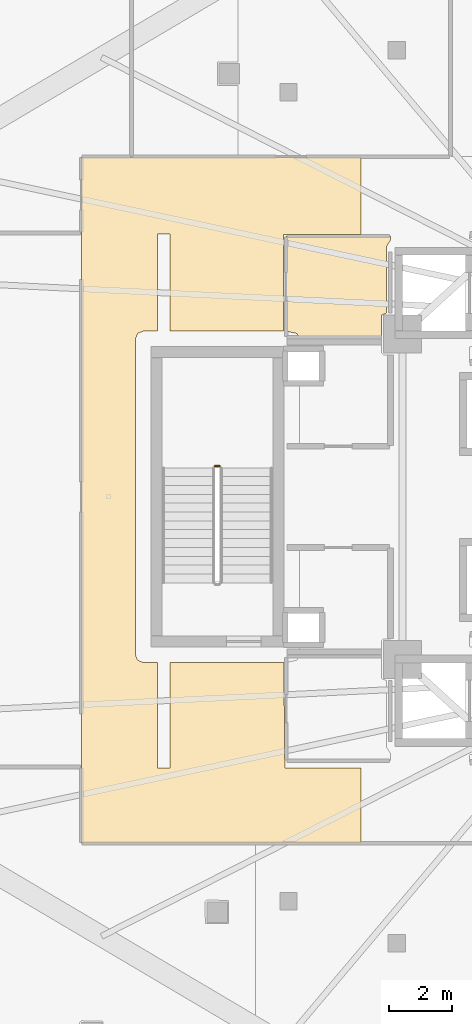
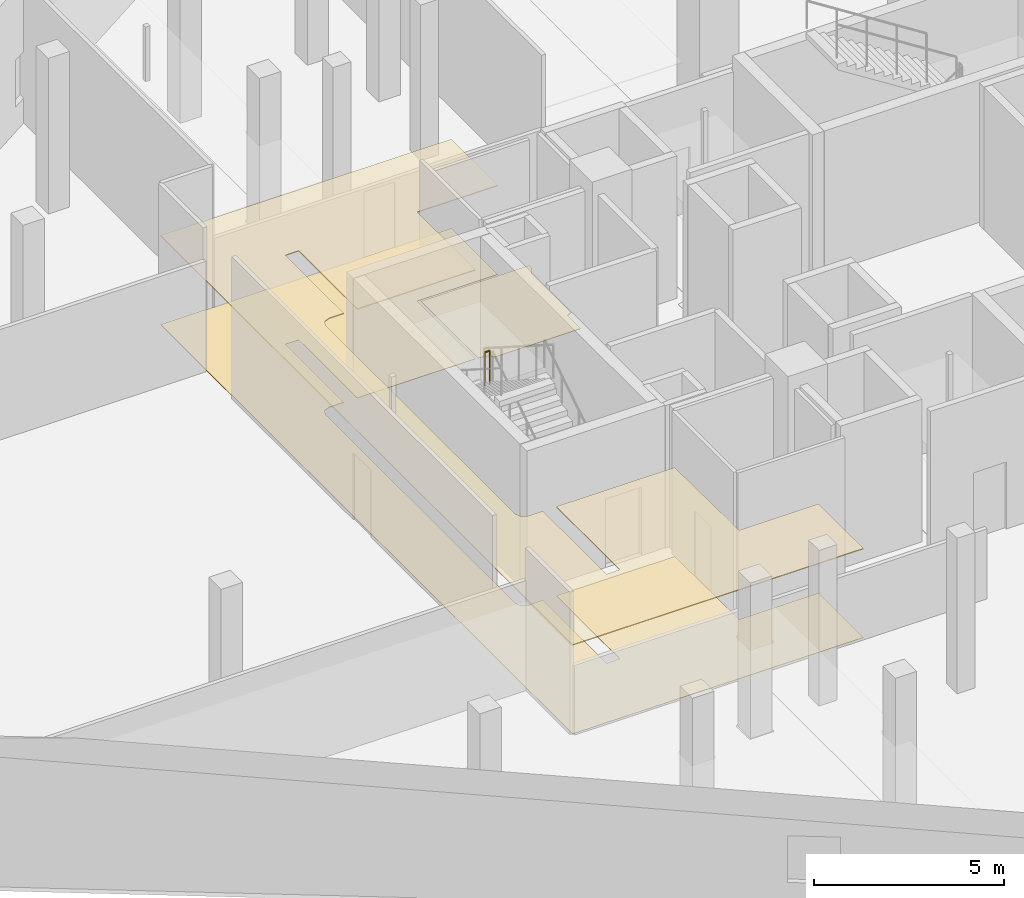
# One storey, part 40 of 43: 3 coverings, 1 railing.
"""IFC4 building model written with IfcOpenShell, lengths in metres."""

from ifc_helpers import new_model, si_unit, direction, frame, origin, origin_2d, place, context, subcontext, project, spatial, polyline, circle, outline, extrude, material, layer, layer_set, type_object, element, save


model = new_model("IFC4")

# Units and contexts
model_context = context("Model", 3, precision=1e-05, world=origin(), true_north=direction((0.0, 1.0)))
body_context = subcontext(model_context, "Body", "Model", "MODEL_VIEW")
ifc_project = project(units=[si_unit("LENGTHUNIT", "METRE"), si_unit("AREAUNIT", "SQUARE_METRE"), si_unit("VOLUMEUNIT", "CUBIC_METRE"), si_unit("PLANEANGLEUNIT", "RADIAN"), si_unit("MASSUNIT", "GRAM", prefix="KILO")], contexts=[model_context])

# Site, building, storey
site_placement = place(None, origin())
site = spatial("IfcSite", under=ifc_project, at=site_placement, CompositionType="ELEMENT")
building_placement = place(site_placement, origin())
building = spatial("IfcBuilding", under=site, at=building_placement, Name="Qorvath Tower", CompositionType="ELEMENT")
storey_placement = place(building_placement, frame((0.0, 0.0, 22.0)))
storey = spatial("IfcBuildingStorey", under=building, at=storey_placement, Name="L04", CompositionType="ELEMENT", Elevation=22.0)

# Coverings
ifc_material_1 = material(Name="Acoustic mineral fibre ceiling tile", Category="gypsum")
ifc_layer_1 = layer(ifc_material_1, 0.030029296875)
ifc_layer_set_1 = layer_set([ifc_layer_1], Name="COV-CEIL")
covering_type_1 = type_object("IfcCoveringType", Name="COV-CEIL", PredefinedType="CEILING", material=ifc_layer_set_1)
covering_1_placement = place(storey_placement, frame((0.0, 0.0, 2.85009765625)))
element("IfcCovering", 1, at=covering_1_placement, inside=storey, type_object=covering_type_1, Name="L04 Suspended Acoustic Ceiling 007", PredefinedType="CEILING", context=body_context, shape_type="SweptSolid", body=[
    extrude(outline(polyline([(-31.804931640625, -10.945068359375), (-31.804931640625, -8.58203125), (-34.219970703125, -8.5849609375), (-34.251220703125, -5.239990234375), (-37.844970703125, -5.239990234375), (-37.844970703125, -8.580078125), (-38.25341796875, -8.58349609375), (-38.2548828125, -5.239990234375), (-38.699951171875, -5.239990234375), (-38.876708984375, -5.166748046875), (-38.949951171875, -4.989990234375), (-38.949951171875, 4.989990234375), (-38.876708984375, 5.166748046875), (-38.699951171875, 5.239990234375), (-38.2548828125, 5.239990234375), (-38.2548828125, 8.320068359375), (-37.844970703125, 8.320068359375), (-37.844970703125, 5.239990234375), (-34.2548828125, 5.239990234375), (-34.2548828125, 8.300048828125), (-31.804931640625, 8.30126953125), (-31.804931640625, 10.7451171875), (-40.64501953125, 10.7451171875), (-40.64501953125, -10.945068359375), (-31.804931640625, -10.945068359375)])), origin(), (0.0, 0.0, 1.0), 0.030029296875),
])
ifc_material_2 = material(Name="Polished epoxy terrazzo flooring", Category="concrete")
ifc_layer_2 = layer(ifc_material_2, 0.02001953125)
ifc_layer_set_2 = layer_set([ifc_layer_2], Name="COV-FLOOR-TRZ")
covering_type_2 = type_object("IfcCoveringType", Name="COV-FLOOR-TRZ", PredefinedType="FLOORING", material=ifc_layer_set_2)
covering_2_placement = place(storey_placement, origin())
element("IfcCovering", 2, at=covering_2_placement, inside=storey, type_object=covering_type_2, Name="L04 Floor Finish 003", PredefinedType="FLOORING", context=body_context, shape_type="SweptSolid", body=[
    extrude(outline(polyline([(-31.010009765625, 7.909912109375), (-30.885009765625, 8.108154296875), (-30.885009765625, 8.2451171875), (-34.175048828125, 8.2451171875), (-34.175048828125, 5.239990234375), (-33.833251953125, 5.166748046875), (-33.786865234375, 5.054931640625), (-31.159912109375, 5.054931640625), (-31.159912109375, 5.75), (-31.010009765625, 5.81005859375), (-31.010009765625, 7.909912109375)])), origin(), (0.0, 0.0, 1.0), 0.014892578125),
])
covering_3_placement = place(storey_placement, origin())
element("IfcCovering", 3, at=covering_3_placement, inside=storey, type_object=covering_type_2, Name="L04 Floor Finish 007", PredefinedType="FLOORING", context=body_context, shape_type="SweptSolid", body=[
    extrude(outline(polyline([(-31.804931640625, -10.945068359375), (-31.804931640625, -8.58203125), (-34.219970703125, -8.5849609375), (-34.251220703125, -5.239990234375), (-37.844970703125, -5.239990234375), (-37.844970703125, -8.580078125), (-38.25341796875, -8.58349609375), (-38.2548828125, -5.239990234375), (-38.699951171875, -5.239990234375), (-38.876708984375, -5.166748046875), (-38.949951171875, -4.989990234375), (-38.949951171875, 4.989990234375), (-38.876708984375, 5.166748046875), (-38.699951171875, 5.239990234375), (-38.2548828125, 5.239990234375), (-38.2548828125, 8.320068359375), (-37.844970703125, 8.320068359375), (-37.844970703125, 5.239990234375), (-34.2548828125, 5.239990234375), (-34.2548828125, 8.300048828125), (-31.804931640625, 8.30126953125), (-31.804931640625, 10.7451171875), (-40.64501953125, 10.7451171875), (-40.64501953125, -10.945068359375), (-31.804931640625, -10.945068359375)])), origin(), (0.0, 0.0, 1.0), 0.014892578125),
])

# Railing
ifc_material_3 = material(Name="Painted galvanised steel", Category="steel")
railing_type = type_object("IfcRailingType", Name="RL-STR-GRD", PredefinedType="GUARDRAIL", material=ifc_material_3)
railing_placement = place(storey_placement, frame((-36.280029296875, 0.969970703125, 2.5)))
element("IfcRailing", 4, at=railing_placement, inside=storey, type_object=railing_type, Name="L04 TS3 stair guard 2", PredefinedType="GUARDRAIL", context=body_context, shape_type="SweptSolid", body=[
    extrude(circle(Radius=0.02392578125, at=origin_2d()), frame((0.0, 0.0, 1.076171875), z_axis=(-1.0, 0.0, 0.0), x_axis=(0.0, -1.0, 0.0)), (0.0, 0.0, 1.0), 0.14990234375),
    extrude(circle(Radius=0.02099609375, at=origin_2d()), origin(), (0.0, 0.0, 1.0), 1.052001953125),
    extrude(circle(Radius=0.02099609375, at=origin_2d()), frame((-0.14990234375, 0.0, 0.0)), (0.0, 0.0, 1.0), 1.052001953125),
])

save(model, "model.ifc")
